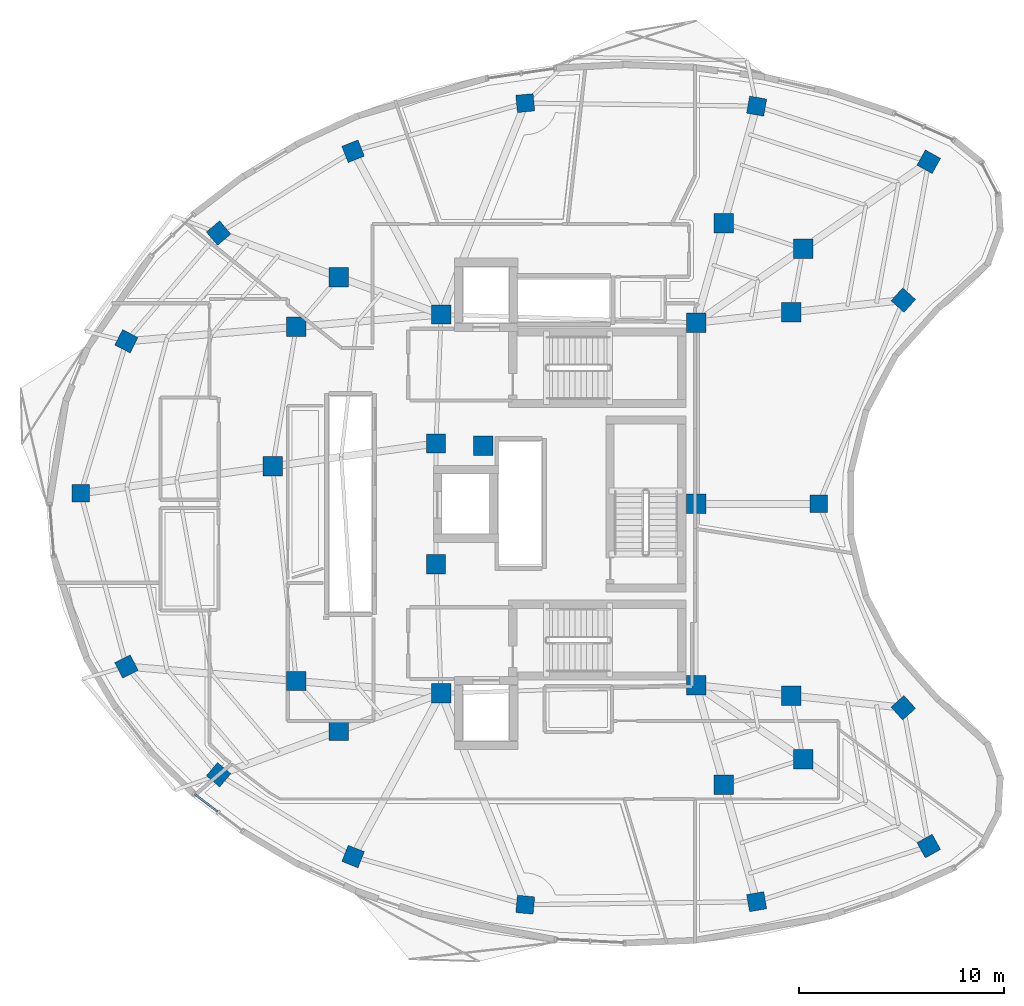
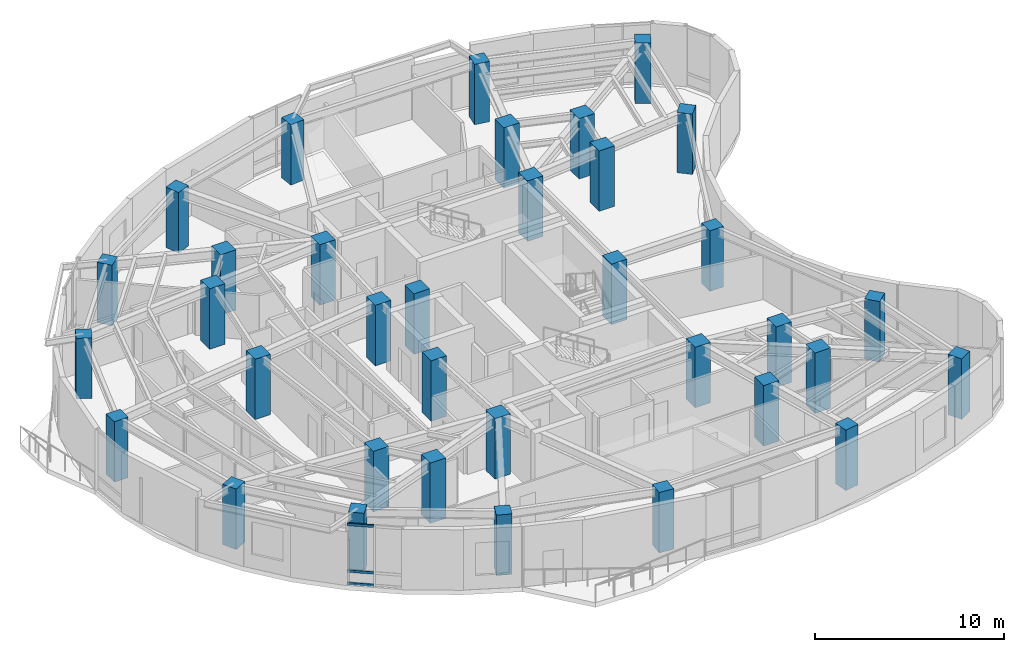
# One storey, part 1 of 14: 35 columns, 3 members, 1 element without a shape of its own.
"""IFC4 building model written with IfcOpenShell, lengths in metres."""

from ifc_helpers import new_model, si_unit, direction, frame, origin, origin_2d, place, context, subcontext, project, spatial, rectangle, extrude, material, layer, layer_set, material_profile, profile_set, type_object, element, aggregate, save


model = new_model("IFC4")

# Units and contexts
model_context = context("Model", 3, precision=1e-05, world=origin(), true_north=direction((0.0, 1.0)))
body_context = subcontext(model_context, "Body", "Model", "MODEL_VIEW")
ifc_project = project(units=[si_unit("LENGTHUNIT", "METRE"), si_unit("AREAUNIT", "SQUARE_METRE"), si_unit("VOLUMEUNIT", "CUBIC_METRE"), si_unit("PLANEANGLEUNIT", "RADIAN"), si_unit("MASSUNIT", "GRAM", prefix="KILO")], contexts=[model_context])

# Site, building, storey
site_placement = place(None, origin())
site = spatial("IfcSite", under=ifc_project, at=site_placement, CompositionType="ELEMENT")
building_placement = place(site_placement, origin())
building = spatial("IfcBuilding", under=site, at=building_placement, Name="Korentha Bioscience Tower", CompositionType="ELEMENT")
storey_placement = place(building_placement, frame((0.0, 0.0, 247.800048828125)))
storey = spatial("IfcBuildingStorey", under=building, at=storey_placement, Name="L57", CompositionType="ELEMENT", Elevation=247.800048828125)

# Columns
ifc_material_1 = material(Name="Concrete C65", Category="concrete")
ifc_material_profile_1 = material_profile(ifc_material_1, rectangle(XDim=0.949951171875, YDim=0.949951171875, at=origin_2d()), Name="Concrete C65")
ifc_profile_set_1 = profile_set([ifc_material_profile_1], Name="Concrete C65 (COL-CP09)")
column_type_1 = type_object("IfcColumnType", Name="Core Pilaster Column RC 950x950", PredefinedType="PILASTER", material=ifc_profile_set_1)
for number, where, z_axis, x_axis, name in (
    (1, (37.550048828125, 35.85009765625, -0.00048828125), (0.0, 0.0, 1.0), (1.0, 0.0, 0.0), "L57 Core Pilaster CP-01"),
    (2, (25.10009765625, 36.25, -0.00048828125), (0.0, 0.0, 1.0), (1.0, 0.0, 0.0), "L57 Core Pilaster CP-02"),
    (3, (24.85009765625, 29.949951171875, -0.00048828125), (0.0, 0.0, 1.0), (1.0, 0.0, 0.0), "L57 Core Pilaster CP-03"),
    (4, (27.14990234375, 29.85009765625, -0.00048828125), (0.0, 0.0, 1.0), (1.0, 0.0, 0.0), "L57 Core Pilaster CP-04"),
    (5, (24.85009765625, 24.050048828125, -0.00048828125), (0.0, 0.0, 1.0), (1.0, 0.0, 0.0), "L57 Core Pilaster CP-05"),
    (6, (25.10009765625, 17.75, -0.00048828125), (0.0, 0.0, 1.0), (1.0, 0.0, 0.0), "L57 Core Pilaster CP-06"),
    (7, (37.550048828125, 18.14990234375, -0.00048828125), (0.0, 0.0, 1.0), (1.0, 0.0, 0.0), "L57 Core Pilaster CP-07"),
    (8, (37.550048828125, 27.0, -0.00048828125), (0.0, 0.0, 1.0), (1.0, 0.0, 0.0), "L57 Core Pilaster CP-08"),
):
    element("IfcColumn", number, at=place(storey_placement, frame(where, z_axis=z_axis, x_axis=x_axis)), inside=storey, type_object=column_type_1, Name=name, PredefinedType="PILASTER", context=body_context, shape_type="SweptSolid", body=[
        extrude(rectangle(XDim=0.949951171875, YDim=0.949951171875, at=origin_2d()), origin(), (0.0, 0.0, 1.0), 3.90087890625),
    ])
ifc_material_profile_2 = material_profile(ifc_material_1, rectangle(XDim=0.949951171875, YDim=0.949951171875, at=origin_2d()), Name="Concrete C65")
ifc_profile_set_2 = profile_set([ifc_material_profile_2], Name="Concrete C65 (COL-MR09)")
column_type_2 = type_object("IfcColumnType", Name="Mid-Ring Lab Column RC 950x950", PredefinedType="COLUMN", material=ifc_profile_set_2)
for number, where, z_axis, x_axis, name in (
    (9, (42.77685546875, 39.464599609375, -0.00048828125), (0.0, 0.0, 1.0), (1.0, 0.0, 0.0), "L57 Mid-Ring Column 01"),
    (10, (38.9111328125, 40.714111328125, -0.00048828125), (0.0, 0.0, 1.0), (1.0, 0.0, 0.0), "L57 Mid-Ring Column 02"),
    (11, (20.102294921875, 38.07861328125, -0.00048828125), (0.0, 0.0, 1.0), (1.0, 0.0, 0.0), "L57 Mid-Ring Column 05"),
    (12, (18.03125, 35.6474609375, -0.00048828125), (0.0, 0.0, 1.0), (1.0, 0.0, 0.0), "L57 Mid-Ring Column 06"),
    (13, (16.868408203125, 28.830322265625, -0.00048828125), (0.0, 0.0, 1.0), (1.0, 0.0, 0.0), "L57 Mid-Ring Column 07"),
    (14, (18.03125, 18.3525390625, -0.00048828125), (0.0, 0.0, 1.0), (1.0, 0.0, 0.0), "L57 Mid-Ring Column 08"),
    (15, (20.102294921875, 15.92138671875, -0.00048828125), (0.0, 0.0, 1.0), (1.0, 0.0, 0.0), "L57 Mid-Ring Column 09"),
    (16, (38.9111328125, 13.285888671875, -0.00048828125), (0.0, 0.0, 1.0), (1.0, 0.0, 0.0), "L57 Mid-Ring Column 12"),
    (17, (42.77685546875, 14.535400390625, -0.00048828125), (0.0, 0.0, 1.0), (1.0, 0.0, 0.0), "L57 Mid-Ring Column 13"),
    (18, (42.205078125, 17.642822265625, -0.00048828125), (0.0, 0.0, 1.0), (1.0, 0.0, 0.0), "L57 Mid-Ring Column 14"),
    (19, (42.205078125, 36.357177734375, -0.00048828125), (0.0, 0.0, 1.0), (1.0, 0.0, 0.0), "L57 Mid-Ring Column 16"),
):
    element("IfcColumn", number, at=place(storey_placement, frame(where, z_axis=z_axis, x_axis=x_axis)), inside=storey, type_object=column_type_2, Name=name, PredefinedType="COLUMN", context=body_context, shape_type="SweptSolid", body=[
        extrude(rectangle(XDim=0.949951171875, YDim=0.949951171875, at=origin_2d()), origin(), (0.0, 0.0, 1.0), 3.90087890625),
    ])
ifc_material_2 = material(Name="Concrete C50", Category="concrete")
ifc_material_profile_3 = material_profile(ifc_material_2, rectangle(XDim=0.85009765625, YDim=0.85009765625, at=origin_2d()), Name="Concrete C50")
ifc_profile_set_3 = profile_set([ifc_material_profile_3], Name="Concrete C50 (COL-P08)")
column_type_3 = type_object("IfcColumnType", Name="Perimeter Column RC 850x850", PredefinedType="COLUMN", material=ifc_profile_set_3)
for number, where, z_axis, x_axis, name in (
    (20, (48.912841796875, 43.707763671875, -0.00048828125), (0.0, 0.0, 1.0), (-0.874535078577, 0.484962262797, 0.0), "L57 Perimeter Column 01"),
    (21, (40.5087890625, 46.423828125, -0.00048828125), (0.0, 0.0, 1.0), (-0.984868307662, 0.173304404339, 0.0), "L57 Perimeter Column 02"),
    (22, (29.209716796875, 46.57080078125, -0.00048828125), (0.0, 0.0, 1.0), (0.995462868748, 0.095150811579, 0.0), "L57 Perimeter Column 03"),
    (23, (20.802978515625, 44.220458984375, -0.00048828125), (0.0, 0.0, 1.0), (0.930225540858, 0.366988341962, 0.0), "L57 Perimeter Column 04"),
    (24, (14.2353515625, 40.225341796875, -0.00048828125), (0.0, 0.0, 1.0), (0.764246456939, 0.644924300253, 0.0), "L57 Perimeter Column 05"),
    (25, (9.7333984375, 34.93994140625, -0.00048828125), (0.0, 0.0, 1.0), (0.453057191132, 0.891481453292, 0.0), "L57 Perimeter Column 06"),
    (26, (7.4990234375, 27.51611328125, -0.00048828125), (0.0, 0.0, 1.0), (0.0, 1.0, 0.0), "L57 Perimeter Column 07"),
    (27, (9.7333984375, 19.06005859375, -0.00048828125), (0.0, 0.0, 1.0), (-0.453057191132, 0.891481453292, 0.0), "L57 Perimeter Column 08"),
    (28, (14.2353515625, 13.774658203125, -0.00048828125), (0.0, 0.0, 1.0), (-0.764246456939, 0.644924300253, 0.0), "L57 Perimeter Column 09"),
    (29, (20.802978515625, 9.779541015625, -0.00048828125), (0.0, 0.0, 1.0), (-0.930225540858, 0.366988341962, 0.0), "L57 Perimeter Column 10"),
    (30, (29.209716796875, 7.42919921875, -0.00048828125), (0.0, 0.0, 1.0), (-0.995462868748, 0.095150811579, 0.0), "L57 Perimeter Column 11"),
    (31, (40.5087890625, 7.576171875, -0.00048828125), (0.0, 0.0, 1.0), (0.984868307662, 0.173304404339, 0.0), "L57 Perimeter Column 12"),
    (32, (48.912841796875, 10.292236328125, -0.00048828125), (0.0, 0.0, 1.0), (0.874535078577, 0.484962262797, 0.0), "L57 Perimeter Column 13"),
    (33, (47.669921875, 17.04736328125, -0.00048828125), (0.0, 0.0, 1.0), (-0.669130606359, 0.743144825477, 0.0), "L57 Perimeter Column 14"),
    (34, (43.536865234375, 27.0, -0.00048828125), (0.0, 0.0, 1.0), (0.0, 1.0, 0.0), "L57 Perimeter Column 15"),
    (35, (47.669921875, 36.95263671875, -0.00048828125), (0.0, 0.0, 1.0), (0.669130606359, 0.743144825477, 0.0), "L57 Perimeter Column 16"),
):
    element("IfcColumn", number, at=place(storey_placement, frame(where, z_axis=z_axis, x_axis=x_axis)), inside=storey, type_object=column_type_3, Name=name, PredefinedType="COLUMN", context=body_context, shape_type="SweptSolid", body=[
        extrude(rectangle(XDim=0.85009765625, YDim=0.85009765625, at=origin_2d()), origin(), (0.0, 0.0, 1.0), 3.90087890625),
    ])

# Curtain wall, members
ifc_material_3 = material(Name="Thermally Broken Aluminium Frame", Category="aluminium")
ifc_layer = layer(ifc_material_3, 0.219970703125, Name="Thermally Broken Aluminium Frame")
ifc_layer_set = layer_set([ifc_layer], Name="Thermally Broken Aluminium Frame (CW-T1)")
curtain_wall_type = type_object("IfcCurtainWallType", Name="Standard Bioscience Lab Unitised Curtain Wall CW-T1", PredefinedType="USERDEFINED", material=ifc_layer_set)
curtain_wall_placement = place(storey_placement, origin())
curtain_wall = element("IfcCurtainWall", 36, at=curtain_wall_placement, inside=storey, type_object=curtain_wall_type, Name="L57 Curtain Wall 25", ObjectType="UNITISED", PredefinedType="USERDEFINED")
ifc_material_4 = material(Name="Anodised Aluminium 6063-T6", Category="aluminium")
ifc_material_profile_4 = material_profile(ifc_material_4, rectangle(XDim=0.090087890625, YDim=0.159912109375, at=origin_2d()), Name="Anodised Aluminium 6063-T6")
ifc_profile_set_4 = profile_set([ifc_material_profile_4], Name="Anodised Aluminium 6063-T6 (CW-TRN)")
member_type = type_object("IfcMemberType", Name="Transom RECT 90x160", PredefinedType="USERDEFINED", material=ifc_profile_set_4)
member_1_placement = place(storey_placement, frame((13.06005859375, 12.835205078125, 0.044921875), z_axis=(0.794421209833, -0.607367221183, 0.0), x_axis=(0.607367221183, 0.794421209833, 0.0)))
member_1 = element("IfcMember", 37, at=member_1_placement, type_object=member_type, Name="CW-L57-25 Bay 1 Transom 1", ObjectType="TRANSOM", PredefinedType="USERDEFINED", context=body_context, shape_type="SweptSolid", body=[
    extrude(rectangle(XDim=0.090087890625, YDim=0.159912109375, at=origin_2d()), origin(), (0.0, 0.0, 1.0), 1.42138671875),
])
member_2_placement = place(storey_placement, frame((13.06005859375, 12.835205078125, 0.849853515625), z_axis=(0.794421209833, -0.607367221183, 0.0), x_axis=(0.607367221183, 0.794421209833, 0.0)))
member_2 = element("IfcMember", 38, at=member_2_placement, type_object=member_type, Name="CW-L57-25 Bay 1 Transom 2", ObjectType="TRANSOM", PredefinedType="USERDEFINED", context=body_context, shape_type="SweptSolid", body=[
    extrude(rectangle(XDim=0.090087890625, YDim=0.159912109375, at=origin_2d()), origin(), (0.0, 0.0, 1.0), 1.42138671875),
])
member_3_placement = place(storey_placement, frame((13.06005859375, 12.835205078125, 3.85498046875), z_axis=(0.794421209833, -0.607367221183, 0.0), x_axis=(0.607367221183, 0.794421209833, 0.0)))
member_3 = element("IfcMember", 39, at=member_3_placement, type_object=member_type, Name="CW-L57-25 Bay 1 Transom 3", ObjectType="TRANSOM", PredefinedType="USERDEFINED", context=body_context, shape_type="SweptSolid", body=[
    extrude(rectangle(XDim=0.090087890625, YDim=0.159912109375, at=origin_2d()), origin(), (0.0, 0.0, 1.0), 1.42138671875),
])
aggregate(curtain_wall, [member_1, member_2, member_3])

save(model, "model.ifc")
